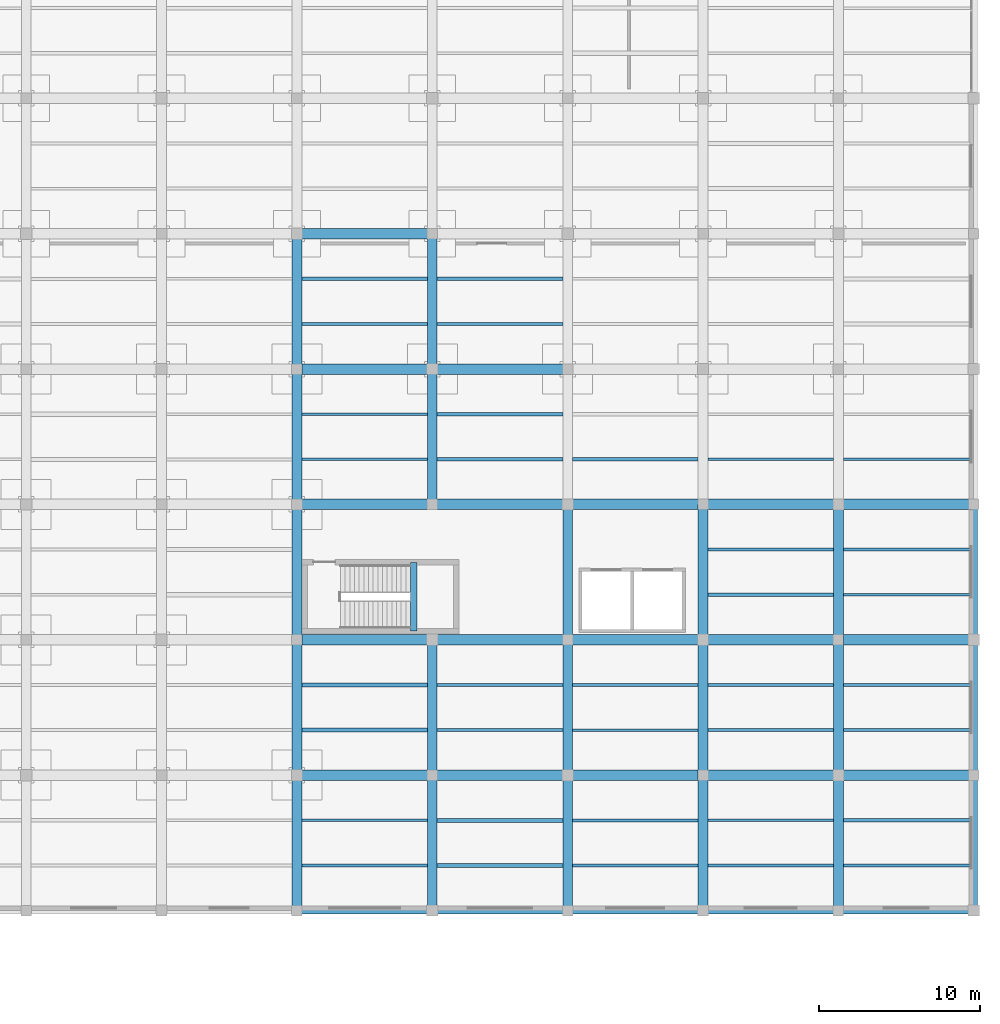
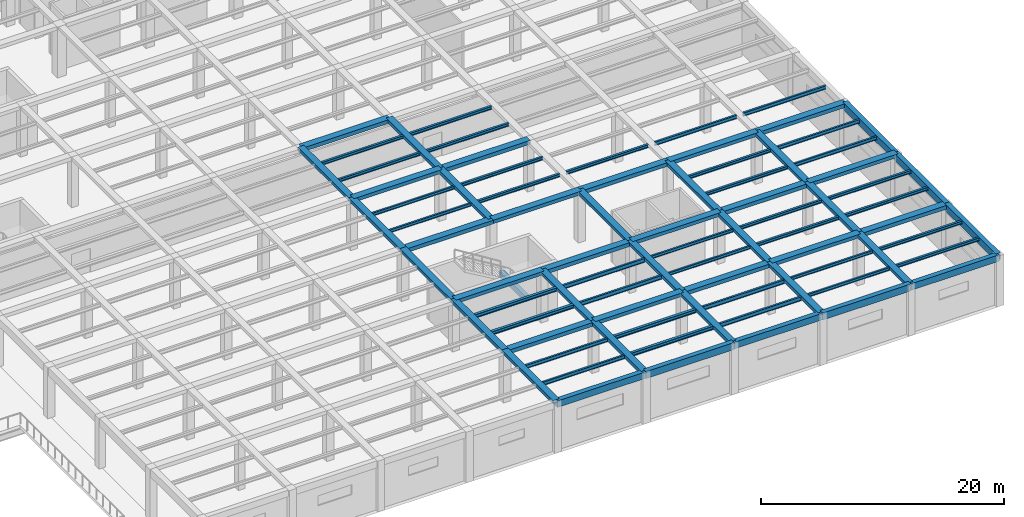
# One storey, part 52 of 96: 80 beams.
"""IFC4 building model written with IfcOpenShell, lengths in metres."""

from ifc_helpers import new_model, si_unit, direction, frame, origin, origin_2d, place, context, subcontext, project, spatial, rectangle, i_section, extrude, material, material_profile, profile_set, type_object, element, save


model = new_model("IFC4")

# Units and contexts
model_context = context("Model", 3, precision=1e-05, world=origin(), true_north=direction((0.0, 1.0)))
body_context = subcontext(model_context, "Body", "Model", "MODEL_VIEW")
ifc_project = project(units=[si_unit("LENGTHUNIT", "METRE"), si_unit("AREAUNIT", "SQUARE_METRE"), si_unit("VOLUMEUNIT", "CUBIC_METRE"), si_unit("PLANEANGLEUNIT", "RADIAN"), si_unit("MASSUNIT", "GRAM", prefix="KILO")], contexts=[model_context])

# Site, building, storey
site_placement = place(None, origin())
site = spatial("IfcSite", under=ifc_project, at=site_placement, CompositionType="ELEMENT")
building_placement = place(site_placement, origin())
building = spatial("IfcBuilding", under=site, at=building_placement, Name="Almacenes y Pasaje Nevantli", CompositionType="ELEMENT")
storey_placement = place(building_placement, frame((0.0, 0.0, 6.0)))
storey = spatial("IfcBuildingStorey", under=building, at=storey_placement, Name="L02", CompositionType="ELEMENT", Elevation=6.0)

# Beams
ifc_material_1 = material(Name="Concrete C35/45", Category="concrete")
ifc_material_profile_1 = material_profile(ifc_material_1, rectangle(XDim=0.39990234375, YDim=0.60009765625, at=origin_2d()), Name="RC-BM-400x600")
ifc_profile_set_1 = profile_set([ifc_material_profile_1], Name="Concrete C35/45")
beam_type_1 = type_object("IfcBeamType", Name="BM-RC-400x600", PredefinedType="SPANDREL", material=ifc_profile_set_1)
beam_1_placement = place(storey_placement, frame((133.25, 17.35009765625, 2.199951171875), z_axis=(0.0, 1.0, 0.0), x_axis=(-1.0, 0.0, 0.0)))
element("IfcBeam", 1, at=beam_1_placement, inside=storey, type_object=beam_type_1, Name="L02 Stair ST-06 Half-Landing Support Beam", PredefinedType="SPANDREL", context=body_context, shape_type="SweptSolid", body=[
    extrude(rectangle(XDim=0.39990234375, YDim=0.60009765625, at=origin_2d()), origin(), (0.0, 0.0, 1.0), 4.25),
])
ifc_material_2 = material(Name="Concrete C35/45", Category="concrete")
ifc_material_profile_2 = material_profile(ifc_material_2, rectangle(XDim=0.449951171875, YDim=0.64990234375, at=origin_2d()), Name="RC-BM-450x650")
ifc_profile_set_2 = profile_set([ifc_material_profile_2], Name="Concrete C35/45")
beam_type_2 = type_object("IfcBeamType", Name="BM-RC-450x650", PredefinedType="SPANDREL", material=ifc_profile_set_2)
for number, where, z_axis, x_axis, name in (
    (2, (126.0, 0.0, 4.77490234375), (1.0, 0.0, 0.0), (0.0, 1.0, 0.0), "L02 East-West Reinforced Concrete Beam #1735"),
    (3, (142.800048828125, 0.0, 4.77490234375), (1.0, 0.0, 0.0), (0.0, 1.0, 0.0), "L02 East-West Reinforced Concrete Beam #1737"),
    (4, (159.60009765625, 0.0, 4.77490234375), (1.0, 0.0, 0.0), (0.0, 1.0, 0.0), "L02 East-West Reinforced Concrete Beam #1739"),
):
    element("IfcBeam", number, at=place(storey_placement, frame(where, z_axis=z_axis, x_axis=x_axis)), inside=storey, type_object=beam_type_2, Name=name, PredefinedType="SPANDREL", context=body_context, shape_type="SweptSolid", body=[
        extrude(rectangle(XDim=0.449951171875, YDim=0.64990234375, at=origin_2d()), origin(), (0.0, 0.0, 1.0), 8.39990234375),
    ])
ifc_material_3 = material(Name="Concrete C35/45", Category="concrete")
ifc_material_profile_3 = material_profile(ifc_material_3, rectangle(XDim=0.449951171875, YDim=0.699951171875, at=origin_2d()), Name="RC-BM-450x700")
ifc_profile_set_3 = profile_set([ifc_material_profile_3], Name="Concrete C35/45")
beam_type_3 = type_object("IfcBeamType", Name="BM-RC-450x700", PredefinedType="SPANDREL", material=ifc_profile_set_3)
for number, where, z_axis, x_axis, name in (
    (5, (134.39990234375, 0.0, 4.75), (1.0, 0.0, 0.0), (0.0, 1.0, 0.0), "L02 East-West Reinforced Concrete Beam #1736"),
    (6, (151.199951171875, 0.0, 4.75), (1.0, 0.0, 0.0), (0.0, 1.0, 0.0), "L02 East-West Reinforced Concrete Beam #1738"),
):
    element("IfcBeam", number, at=place(storey_placement, frame(where, z_axis=z_axis, x_axis=x_axis)), inside=storey, type_object=beam_type_3, Name=name, PredefinedType="SPANDREL", context=body_context, shape_type="SweptSolid", body=[
        extrude(rectangle(XDim=0.449951171875, YDim=0.699951171875, at=origin_2d()), origin(), (0.0, 0.0, 1.0), 8.400146484375),
    ])
beam_2_placement = place(storey_placement, frame((168.0, 0.0, 4.75), z_axis=(0.0, 1.0, 0.0), x_axis=(-1.0, 0.0, 0.0)))
element("IfcBeam", 7, at=beam_2_placement, inside=storey, type_object=beam_type_3, Name="L02 North-South Reinforced Concrete Beam #2189", PredefinedType="SPANDREL", context=body_context, shape_type="SweptSolid", body=[
    extrude(rectangle(XDim=0.449951171875, YDim=0.699951171875, at=origin_2d()), origin(), (0.0, 0.0, 1.0), 8.39990234375),
])
beam_3_placement = place(storey_placement, frame((168.0, 8.39990234375, 4.75), z_axis=(0.0, 1.0, 0.0), x_axis=(-1.0, 0.0, 0.0)))
element("IfcBeam", 8, at=beam_3_placement, inside=storey, type_object=beam_type_3, Name="L02 North-South Reinforced Concrete Beam #2190", PredefinedType="SPANDREL", context=body_context, shape_type="SweptSolid", body=[
    extrude(rectangle(XDim=0.449951171875, YDim=0.699951171875, at=origin_2d()), origin(), (0.0, 0.0, 1.0), 8.400146484375),
])
beam_4_placement = place(storey_placement, frame((168.0, 16.800048828125, 4.75), z_axis=(0.0, 1.0, 0.0), x_axis=(-1.0, 0.0, 0.0)))
element("IfcBeam", 9, at=beam_4_placement, inside=storey, type_object=beam_type_3, Name="L02 North-South Reinforced Concrete Beam #2191", PredefinedType="SPANDREL", context=body_context, shape_type="SweptSolid", body=[
    extrude(rectangle(XDim=0.449951171875, YDim=0.699951171875, at=origin_2d()), origin(), (0.0, 0.0, 1.0), 8.39990234375),
])
ifc_material_4 = material(Name="Concrete C35/45", Category="concrete")
ifc_material_profile_4 = material_profile(ifc_material_4, rectangle(XDim=0.60009765625, YDim=0.320068359375, at=origin_2d()), Name="RC-BM-600x320")
ifc_profile_set_4 = profile_set([ifc_material_profile_4], Name="Concrete C35/45")
beam_type_4 = type_object("IfcBeamType", Name="BM-RC-600x320", PredefinedType="BEAM", material=ifc_profile_set_4)
for number, where, z_axis, x_axis, name in (
    (10, (126.0, 0.0, 4.93994140625), (0.0, 1.0, 0.0), (-1.0, 0.0, 0.0), "L02 North-South Reinforced Concrete Beam #2123"),
    (11, (126.0, 16.800048828125, 4.93994140625), (0.0, 1.0, 0.0), (-1.0, 0.0, 0.0), "L02 North-South Reinforced Concrete Beam #2125"),
    (12, (126.0, 33.60009765625, 4.93994140625), (0.0, 1.0, 0.0), (-1.0, 0.0, 0.0), "L02 North-South Reinforced Concrete Beam #2127"),
):
    element("IfcBeam", number, at=place(storey_placement, frame(where, z_axis=z_axis, x_axis=x_axis)), inside=storey, type_object=beam_type_4, Name=name, PredefinedType="BEAM", context=body_context, shape_type="SweptSolid", body=[
        extrude(rectangle(XDim=0.60009765625, YDim=0.320068359375, at=origin_2d()), origin(), (0.0, 0.0, 1.0), 8.39990234375),
    ])
for number, where, z_axis, x_axis, name in (
    (13, (134.39990234375, 8.39990234375, 4.93994140625), (0.0, 1.0, 0.0), (-1.0, 0.0, 0.0), "L02 North-South Reinforced Concrete Beam #2137"),
    (14, (134.39990234375, 25.199951171875, 4.93994140625), (0.0, 1.0, 0.0), (-1.0, 0.0, 0.0), "L02 North-South Reinforced Concrete Beam #2138"),
):
    element("IfcBeam", number, at=place(storey_placement, frame(where, z_axis=z_axis, x_axis=x_axis)), inside=storey, type_object=beam_type_4, Name=name, PredefinedType="BEAM", context=body_context, shape_type="SweptSolid", body=[
        extrude(rectangle(XDim=0.60009765625, YDim=0.320068359375, at=origin_2d()), origin(), (0.0, 0.0, 1.0), 8.400146484375),
    ])
for number, where, z_axis, x_axis, name in (
    (15, (142.800048828125, 0.0, 4.93994140625), (0.0, 1.0, 0.0), (-1.0, 0.0, 0.0), "L02 North-South Reinforced Concrete Beam #2148"),
    (16, (142.800048828125, 16.800048828125, 4.93994140625), (0.0, 1.0, 0.0), (-1.0, 0.0, 0.0), "L02 North-South Reinforced Concrete Beam #2150"),
):
    element("IfcBeam", number, at=place(storey_placement, frame(where, z_axis=z_axis, x_axis=x_axis)), inside=storey, type_object=beam_type_4, Name=name, PredefinedType="BEAM", context=body_context, shape_type="SweptSolid", body=[
        extrude(rectangle(XDim=0.60009765625, YDim=0.320068359375, at=origin_2d()), origin(), (0.0, 0.0, 1.0), 8.39990234375),
    ])
beam_5_placement = place(storey_placement, frame((151.199951171875, 8.39990234375, 4.93994140625), z_axis=(0.0, 1.0, 0.0), x_axis=(-1.0, 0.0, 0.0)))
element("IfcBeam", 17, at=beam_5_placement, inside=storey, type_object=beam_type_4, Name="L02 North-South Reinforced Concrete Beam #2163", PredefinedType="BEAM", context=body_context, shape_type="SweptSolid", body=[
    extrude(rectangle(XDim=0.60009765625, YDim=0.320068359375, at=origin_2d()), origin(), (0.0, 0.0, 1.0), 8.400146484375),
])
for number, where, z_axis, x_axis, name in (
    (18, (159.60009765625, 0.0, 4.93994140625), (0.0, 1.0, 0.0), (-1.0, 0.0, 0.0), "L02 North-South Reinforced Concrete Beam #2175"),
    (19, (159.60009765625, 16.800048828125, 4.93994140625), (0.0, 1.0, 0.0), (-1.0, 0.0, 0.0), "L02 North-South Reinforced Concrete Beam #2177"),
):
    element("IfcBeam", number, at=place(storey_placement, frame(where, z_axis=z_axis, x_axis=x_axis)), inside=storey, type_object=beam_type_4, Name=name, PredefinedType="BEAM", context=body_context, shape_type="SweptSolid", body=[
        extrude(rectangle(XDim=0.60009765625, YDim=0.320068359375, at=origin_2d()), origin(), (0.0, 0.0, 1.0), 8.39990234375),
    ])
ifc_material_5 = material(Name="Concrete C35/45", Category="concrete")
ifc_material_profile_5 = material_profile(ifc_material_5, rectangle(XDim=0.60009765625, YDim=0.340087890625, at=origin_2d()), Name="RC-BM-600x340")
ifc_profile_set_5 = profile_set([ifc_material_profile_5], Name="Concrete C35/45")
beam_type_5 = type_object("IfcBeamType", Name="BM-RC-600x340", PredefinedType="BEAM", material=ifc_profile_set_5)
for number, where, z_axis, x_axis, name in (
    (20, (126.0, 8.39990234375, 4.929931640625), (0.0, 1.0, 0.0), (-1.0, 0.0, 0.0), "L02 North-South Reinforced Concrete Beam #2124"),
    (21, (126.0, 25.199951171875, 4.929931640625), (0.0, 1.0, 0.0), (-1.0, 0.0, 0.0), "L02 North-South Reinforced Concrete Beam #2126"),
):
    element("IfcBeam", number, at=place(storey_placement, frame(where, z_axis=z_axis, x_axis=x_axis)), inside=storey, type_object=beam_type_5, Name=name, PredefinedType="BEAM", context=body_context, shape_type="SweptSolid", body=[
        extrude(rectangle(XDim=0.60009765625, YDim=0.340087890625, at=origin_2d()), origin(), (0.0, 0.0, 1.0), 8.400146484375),
    ])
for number, where, z_axis, x_axis, name in (
    (22, (134.39990234375, 0.0, 4.929931640625), (0.0, 1.0, 0.0), (-1.0, 0.0, 0.0), "L02 North-South Reinforced Concrete Beam #2136"),
    (23, (134.39990234375, 33.60009765625, 4.929931640625), (0.0, 1.0, 0.0), (-1.0, 0.0, 0.0), "L02 North-South Reinforced Concrete Beam #2139"),
):
    element("IfcBeam", number, at=place(storey_placement, frame(where, z_axis=z_axis, x_axis=x_axis)), inside=storey, type_object=beam_type_5, Name=name, PredefinedType="BEAM", context=body_context, shape_type="SweptSolid", body=[
        extrude(rectangle(XDim=0.60009765625, YDim=0.340087890625, at=origin_2d()), origin(), (0.0, 0.0, 1.0), 8.39990234375),
    ])
beam_6_placement = place(storey_placement, frame((142.800048828125, 8.39990234375, 4.929931640625), z_axis=(0.0, 1.0, 0.0), x_axis=(-1.0, 0.0, 0.0)))
element("IfcBeam", 24, at=beam_6_placement, inside=storey, type_object=beam_type_5, Name="L02 North-South Reinforced Concrete Beam #2149", PredefinedType="BEAM", context=body_context, shape_type="SweptSolid", body=[
    extrude(rectangle(XDim=0.60009765625, YDim=0.340087890625, at=origin_2d()), origin(), (0.0, 0.0, 1.0), 8.400146484375),
])
for number, where, z_axis, x_axis, name in (
    (25, (151.199951171875, 0.0, 4.929931640625), (0.0, 1.0, 0.0), (-1.0, 0.0, 0.0), "L02 North-South Reinforced Concrete Beam #2162"),
    (26, (151.199951171875, 16.800048828125, 4.929931640625), (0.0, 1.0, 0.0), (-1.0, 0.0, 0.0), "L02 North-South Reinforced Concrete Beam #2164"),
):
    element("IfcBeam", number, at=place(storey_placement, frame(where, z_axis=z_axis, x_axis=x_axis)), inside=storey, type_object=beam_type_5, Name=name, PredefinedType="BEAM", context=body_context, shape_type="SweptSolid", body=[
        extrude(rectangle(XDim=0.60009765625, YDim=0.340087890625, at=origin_2d()), origin(), (0.0, 0.0, 1.0), 8.39990234375),
    ])
beam_7_placement = place(storey_placement, frame((159.60009765625, 8.39990234375, 4.929931640625), z_axis=(0.0, 1.0, 0.0), x_axis=(-1.0, 0.0, 0.0)))
element("IfcBeam", 27, at=beam_7_placement, inside=storey, type_object=beam_type_5, Name="L02 North-South Reinforced Concrete Beam #2176", PredefinedType="BEAM", context=body_context, shape_type="SweptSolid", body=[
    extrude(rectangle(XDim=0.60009765625, YDim=0.340087890625, at=origin_2d()), origin(), (0.0, 0.0, 1.0), 8.400146484375),
])
ifc_material_6 = material(Name="Concrete C35/45", Category="concrete")
ifc_material_profile_6 = material_profile(ifc_material_6, rectangle(XDim=0.64990234375, YDim=0.35009765625, at=origin_2d()), Name="RC-BM-650x350")
ifc_profile_set_6 = profile_set([ifc_material_profile_6], Name="Concrete C35/45")
beam_type_6 = type_object("IfcBeamType", Name="BM-RC-650x350", PredefinedType="BEAM", material=ifc_profile_set_6)
for number, where, z_axis, x_axis, name in (
    (28, (134.39990234375, 8.39990234375, 4.925048828125), (1.0, 0.0, 0.0), (0.0, 1.0, 0.0), "L02 East-West Reinforced Concrete Beam #1750"),
    (29, (151.199951171875, 8.39990234375, 4.925048828125), (1.0, 0.0, 0.0), (0.0, 1.0, 0.0), "L02 East-West Reinforced Concrete Beam #1752"),
):
    element("IfcBeam", number, at=place(storey_placement, frame(where, z_axis=z_axis, x_axis=x_axis)), inside=storey, type_object=beam_type_6, Name=name, PredefinedType="BEAM", context=body_context, shape_type="SweptSolid", body=[
        extrude(rectangle(XDim=0.64990234375, YDim=0.35009765625, at=origin_2d()), origin(), (0.0, 0.0, 1.0), 8.400146484375),
    ])
for number, where, z_axis, x_axis, name in (
    (30, (126.0, 16.800048828125, 4.925048828125), (1.0, 0.0, 0.0), (0.0, 1.0, 0.0), "L02 East-West Reinforced Concrete Beam #1763"),
    (31, (142.800048828125, 16.800048828125, 4.925048828125), (1.0, 0.0, 0.0), (0.0, 1.0, 0.0), "L02 East-West Reinforced Concrete Beam #1765"),
    (32, (159.60009765625, 16.800048828125, 4.925048828125), (1.0, 0.0, 0.0), (0.0, 1.0, 0.0), "L02 East-West Reinforced Concrete Beam #1767"),
):
    element("IfcBeam", number, at=place(storey_placement, frame(where, z_axis=z_axis, x_axis=x_axis)), inside=storey, type_object=beam_type_6, Name=name, PredefinedType="BEAM", context=body_context, shape_type="SweptSolid", body=[
        extrude(rectangle(XDim=0.64990234375, YDim=0.35009765625, at=origin_2d()), origin(), (0.0, 0.0, 1.0), 8.39990234375),
    ])
for number, where, z_axis, x_axis, name in (
    (33, (134.39990234375, 25.199951171875, 4.925048828125), (1.0, 0.0, 0.0), (0.0, 1.0, 0.0), "L02 East-West Reinforced Concrete Beam #1781"),
    (34, (151.199951171875, 25.199951171875, 4.925048828125), (1.0, 0.0, 0.0), (0.0, 1.0, 0.0), "L02 East-West Reinforced Concrete Beam #1783"),
):
    element("IfcBeam", number, at=place(storey_placement, frame(where, z_axis=z_axis, x_axis=x_axis)), inside=storey, type_object=beam_type_6, Name=name, PredefinedType="BEAM", context=body_context, shape_type="SweptSolid", body=[
        extrude(rectangle(XDim=0.64990234375, YDim=0.35009765625, at=origin_2d()), origin(), (0.0, 0.0, 1.0), 8.400146484375),
    ])
beam_8_placement = place(storey_placement, frame((126.0, 33.60009765625, 4.925048828125), z_axis=(1.0, 0.0, 0.0), x_axis=(0.0, 1.0, 0.0)))
element("IfcBeam", 35, at=beam_8_placement, inside=storey, type_object=beam_type_6, Name="L02 East-West Reinforced Concrete Beam #1797", PredefinedType="BEAM", context=body_context, shape_type="SweptSolid", body=[
    extrude(rectangle(XDim=0.64990234375, YDim=0.35009765625, at=origin_2d()), origin(), (0.0, 0.0, 1.0), 8.39990234375),
])
ifc_material_7 = material(Name="Concrete C35/45", Category="concrete")
ifc_material_profile_7 = material_profile(ifc_material_7, rectangle(XDim=0.64990234375, YDim=0.3798828125, at=origin_2d()), Name="RC-BM-650x380")
ifc_profile_set_7 = profile_set([ifc_material_profile_7], Name="Concrete C35/45")
beam_type_7 = type_object("IfcBeamType", Name="BM-RC-650x380", PredefinedType="BEAM", material=ifc_profile_set_7)
for number, where, z_axis, x_axis, name in (
    (36, (126.0, 8.39990234375, 4.909912109375), (1.0, 0.0, 0.0), (0.0, 1.0, 0.0), "L02 East-West Reinforced Concrete Beam #1749"),
    (37, (142.800048828125, 8.39990234375, 4.909912109375), (1.0, 0.0, 0.0), (0.0, 1.0, 0.0), "L02 East-West Reinforced Concrete Beam #1751"),
    (38, (159.60009765625, 8.39990234375, 4.909912109375), (1.0, 0.0, 0.0), (0.0, 1.0, 0.0), "L02 East-West Reinforced Concrete Beam #1753"),
):
    element("IfcBeam", number, at=place(storey_placement, frame(where, z_axis=z_axis, x_axis=x_axis)), inside=storey, type_object=beam_type_7, Name=name, PredefinedType="BEAM", context=body_context, shape_type="SweptSolid", body=[
        extrude(rectangle(XDim=0.64990234375, YDim=0.3798828125, at=origin_2d()), origin(), (0.0, 0.0, 1.0), 8.39990234375),
    ])
for number, where, z_axis, x_axis, name in (
    (39, (134.39990234375, 16.800048828125, 4.909912109375), (1.0, 0.0, 0.0), (0.0, 1.0, 0.0), "L02 East-West Reinforced Concrete Beam #1764"),
    (40, (151.199951171875, 16.800048828125, 4.909912109375), (1.0, 0.0, 0.0), (0.0, 1.0, 0.0), "L02 East-West Reinforced Concrete Beam #1766"),
):
    element("IfcBeam", number, at=place(storey_placement, frame(where, z_axis=z_axis, x_axis=x_axis)), inside=storey, type_object=beam_type_7, Name=name, PredefinedType="BEAM", context=body_context, shape_type="SweptSolid", body=[
        extrude(rectangle(XDim=0.64990234375, YDim=0.3798828125, at=origin_2d()), origin(), (0.0, 0.0, 1.0), 8.400146484375),
    ])
for number, where, z_axis, x_axis, name in (
    (41, (126.0, 25.199951171875, 4.909912109375), (1.0, 0.0, 0.0), (0.0, 1.0, 0.0), "L02 East-West Reinforced Concrete Beam #1780"),
    (42, (142.800048828125, 25.199951171875, 4.909912109375), (1.0, 0.0, 0.0), (0.0, 1.0, 0.0), "L02 East-West Reinforced Concrete Beam #1782"),
    (43, (159.60009765625, 25.199951171875, 4.909912109375), (1.0, 0.0, 0.0), (0.0, 1.0, 0.0), "L02 East-West Reinforced Concrete Beam #1784"),
):
    element("IfcBeam", number, at=place(storey_placement, frame(where, z_axis=z_axis, x_axis=x_axis)), inside=storey, type_object=beam_type_7, Name=name, PredefinedType="BEAM", context=body_context, shape_type="SweptSolid", body=[
        extrude(rectangle(XDim=0.64990234375, YDim=0.3798828125, at=origin_2d()), origin(), (0.0, 0.0, 1.0), 8.39990234375),
    ])
beam_9_placement = place(storey_placement, frame((134.39990234375, 33.60009765625, 4.909912109375), z_axis=(1.0, 0.0, 0.0), x_axis=(0.0, 1.0, 0.0)))
element("IfcBeam", 44, at=beam_9_placement, inside=storey, type_object=beam_type_7, Name="L02 East-West Reinforced Concrete Beam #1798", PredefinedType="BEAM", context=body_context, shape_type="SweptSolid", body=[
    extrude(rectangle(XDim=0.64990234375, YDim=0.3798828125, at=origin_2d()), origin(), (0.0, 0.0, 1.0), 8.400146484375),
])
beam_10_placement = place(storey_placement, frame((126.0, 42.0, 4.909912109375), z_axis=(1.0, 0.0, 0.0), x_axis=(0.0, 1.0, 0.0)))
element("IfcBeam", 45, at=beam_10_placement, inside=storey, type_object=beam_type_7, Name="L02 East-West Reinforced Concrete Beam #1814", PredefinedType="BEAM", context=body_context, shape_type="SweptSolid", body=[
    extrude(rectangle(XDim=0.64990234375, YDim=0.3798828125, at=origin_2d()), origin(), (0.0, 0.0, 1.0), 8.39990234375),
])
ifc_material_8 = material(Name="Steel ASTM A992", Category="steel")
ifc_material_profile_8 = material_profile(ifc_material_8, i_section(OverallWidth=0.1650390625, OverallDepth=0.306884765625, WebThickness=0.006591796875, FlangeThickness=0.01025390625, at=origin_2d()), Name="IR 305x44.6")
ifc_profile_set_8 = profile_set([ifc_material_profile_8], Name="Steel ASTM A992")
beam_type_8 = type_object("IfcBeamType", Name="BM-STL-IR-305x44p6", PredefinedType="JOIST", material=ifc_profile_set_8)
for number, where, z_axis, x_axis, name in (
    (46, (126.300048828125, 28.0, 4.9384765625), (1.0, 0.0, 0.0), (0.0, 1.0, 0.0), "L02 Secondary Steel Floor Joist #561"),
    (47, (126.300048828125, 30.800048828125, 4.9384765625), (1.0, 0.0, 0.0), (0.0, 1.0, 0.0), "L02 Secondary Steel Floor Joist #562"),
):
    element("IfcBeam", number, at=place(storey_placement, frame(where, z_axis=z_axis, x_axis=x_axis)), inside=storey, type_object=beam_type_8, Name=name, PredefinedType="JOIST", context=body_context, shape_type="SweptSolid", body=[
        extrude(i_section(OverallWidth=0.1650390625, OverallDepth=0.306884765625, WebThickness=0.006591796875, FlangeThickness=0.01025390625, at=origin_2d()), origin(), (0.0, 0.0, 1.0), 7.800048828125),
    ])
for number, where, z_axis, x_axis, name in (
    (48, (143.10009765625, 11.199951171875, 4.9384765625), (1.0, 0.0, 0.0), (0.0, 1.0, 0.0), "L02 Secondary Steel Floor Joist #601"),
    (49, (143.10009765625, 14.0, 4.9384765625), (1.0, 0.0, 0.0), (0.0, 1.0, 0.0), "L02 Secondary Steel Floor Joist #602"),
):
    element("IfcBeam", number, at=place(storey_placement, frame(where, z_axis=z_axis, x_axis=x_axis)), inside=storey, type_object=beam_type_8, Name=name, PredefinedType="JOIST", context=body_context, shape_type="SweptSolid", body=[
        extrude(i_section(OverallWidth=0.1650390625, OverallDepth=0.306884765625, WebThickness=0.006591796875, FlangeThickness=0.01025390625, at=origin_2d()), origin(), (0.0, 0.0, 1.0), 7.7998046875),
    ])
for number, where, z_axis, x_axis, name in (
    (50, (151.5, 2.800048828125, 4.9384765625), (1.0, 0.0, 0.0), (0.0, 1.0, 0.0), "L02 Secondary Steel Floor Joist #623"),
    (51, (151.5, 5.60009765625, 4.9384765625), (1.0, 0.0, 0.0), (0.0, 1.0, 0.0), "L02 Secondary Steel Floor Joist #624"),
):
    element("IfcBeam", number, at=place(storey_placement, frame(where, z_axis=z_axis, x_axis=x_axis)), inside=storey, type_object=beam_type_8, Name=name, PredefinedType="JOIST", context=body_context, shape_type="SweptSolid", body=[
        extrude(i_section(OverallWidth=0.1650390625, OverallDepth=0.306884765625, WebThickness=0.006591796875, FlangeThickness=0.01025390625, at=origin_2d()), origin(), (0.0, 0.0, 1.0), 7.800048828125),
    ])
ifc_material_9 = material(Name="Steel ASTM A992", Category="steel")
ifc_material_profile_9 = material_profile(ifc_material_9, i_section(OverallWidth=0.202880859375, OverallDepth=0.304931640625, WebThickness=0.007568359375, FlangeThickness=0.01318359375, at=origin_2d()), Name="IR 305x59.5")
ifc_profile_set_9 = profile_set([ifc_material_profile_9], Name="Steel ASTM A992")
beam_type_9 = type_object("IfcBeamType", Name="BM-STL-IR-305x59p5", PredefinedType="JOIST", material=ifc_profile_set_9)
for number, where, z_axis, x_axis, name in (
    (52, (126.300048828125, 36.39990234375, 4.939453125), (1.0, 0.0, 0.0), (0.0, 1.0, 0.0), "L02 Secondary Steel Floor Joist #563"),
    (53, (126.300048828125, 39.199951171875, 4.939453125), (1.0, 0.0, 0.0), (0.0, 1.0, 0.0), "L02 Secondary Steel Floor Joist #564"),
    (54, (134.699951171875, 28.0, 4.939453125), (1.0, 0.0, 0.0), (0.0, 1.0, 0.0), "L02 Secondary Steel Floor Joist #581"),
    (55, (134.699951171875, 30.800048828125, 4.939453125), (1.0, 0.0, 0.0), (0.0, 1.0, 0.0), "L02 Secondary Steel Floor Joist #582"),
    (56, (151.5, 11.199951171875, 4.939453125), (1.0, 0.0, 0.0), (0.0, 1.0, 0.0), "L02 Secondary Steel Floor Joist #625"),
    (57, (151.5, 14.0, 4.939453125), (1.0, 0.0, 0.0), (0.0, 1.0, 0.0), "L02 Secondary Steel Floor Joist #626"),
):
    element("IfcBeam", number, at=place(storey_placement, frame(where, z_axis=z_axis, x_axis=x_axis)), inside=storey, type_object=beam_type_9, Name=name, PredefinedType="JOIST", context=body_context, shape_type="SweptSolid", body=[
        extrude(i_section(OverallWidth=0.202880859375, OverallDepth=0.304931640625, WebThickness=0.007568359375, FlangeThickness=0.01318359375, at=origin_2d()), origin(), (0.0, 0.0, 1.0), 7.800048828125),
    ])
for number, where, z_axis, x_axis, name in (
    (58, (159.89990234375, 2.800048828125, 4.939453125), (1.0, 0.0, 0.0), (0.0, 1.0, 0.0), "L02 Secondary Steel Floor Joist #649"),
    (59, (159.89990234375, 5.60009765625, 4.939453125), (1.0, 0.0, 0.0), (0.0, 1.0, 0.0), "L02 Secondary Steel Floor Joist #650"),
):
    element("IfcBeam", number, at=place(storey_placement, frame(where, z_axis=z_axis, x_axis=x_axis)), inside=storey, type_object=beam_type_9, Name=name, PredefinedType="JOIST", context=body_context, shape_type="SweptSolid", body=[
        extrude(i_section(OverallWidth=0.202880859375, OverallDepth=0.304931640625, WebThickness=0.007568359375, FlangeThickness=0.01318359375, at=origin_2d()), origin(), (0.0, 0.0, 1.0), 7.875),
    ])
ifc_material_10 = material(Name="Steel ASTM A992", Category="steel")
ifc_material_profile_10 = material_profile(ifc_material_10, i_section(OverallWidth=0.205078125, OverallDepth=0.31005859375, WebThickness=0.009521484375, FlangeThickness=0.016357421875, at=origin_2d()), Name="IR 305x74.4")
ifc_profile_set_10 = profile_set([ifc_material_profile_10], Name="Steel ASTM A992")
beam_type_10 = type_object("IfcBeamType", Name="BM-STL-IR-305x74p4", PredefinedType="JOIST", material=ifc_profile_set_10)
for number, where, z_axis, x_axis, name in (
    (60, (134.699951171875, 36.39990234375, 4.93701171875), (1.0, 0.0, 0.0), (0.0, 1.0, 0.0), "L02 Secondary Steel Floor Joist #583"),
    (61, (134.699951171875, 39.199951171875, 4.93701171875), (1.0, 0.0, 0.0), (0.0, 1.0, 0.0), "L02 Secondary Steel Floor Joist #584"),
):
    element("IfcBeam", number, at=place(storey_placement, frame(where, z_axis=z_axis, x_axis=x_axis)), inside=storey, type_object=beam_type_10, Name=name, PredefinedType="JOIST", context=body_context, shape_type="SweptSolid", body=[
        extrude(i_section(OverallWidth=0.205078125, OverallDepth=0.31005859375, WebThickness=0.009521484375, FlangeThickness=0.016357421875, at=origin_2d()), origin(), (0.0, 0.0, 1.0), 7.800048828125),
    ])
beam_11_placement = place(storey_placement, frame((143.10009765625, 28.0, 4.93701171875), z_axis=(1.0, 0.0, 0.0), x_axis=(0.0, 1.0, 0.0)))
element("IfcBeam", 62, at=beam_11_placement, inside=storey, type_object=beam_type_10, Name="L02 Secondary Steel Floor Joist #603", PredefinedType="JOIST", context=body_context, shape_type="SweptSolid", body=[
    extrude(i_section(OverallWidth=0.205078125, OverallDepth=0.31005859375, WebThickness=0.009521484375, FlangeThickness=0.016357421875, at=origin_2d()), origin(), (0.0, 0.0, 1.0), 7.7998046875),
])
for number, where, z_axis, x_axis, name in (
    (63, (151.5, 19.60009765625, 4.93701171875), (1.0, 0.0, 0.0), (0.0, 1.0, 0.0), "L02 Secondary Steel Floor Joist #627"),
    (64, (151.5, 22.39990234375, 4.93701171875), (1.0, 0.0, 0.0), (0.0, 1.0, 0.0), "L02 Secondary Steel Floor Joist #628"),
):
    element("IfcBeam", number, at=place(storey_placement, frame(where, z_axis=z_axis, x_axis=x_axis)), inside=storey, type_object=beam_type_10, Name=name, PredefinedType="JOIST", context=body_context, shape_type="SweptSolid", body=[
        extrude(i_section(OverallWidth=0.205078125, OverallDepth=0.31005859375, WebThickness=0.009521484375, FlangeThickness=0.016357421875, at=origin_2d()), origin(), (0.0, 0.0, 1.0), 7.800048828125),
    ])
for number, where, z_axis, x_axis, name in (
    (65, (159.89990234375, 11.199951171875, 4.93701171875), (1.0, 0.0, 0.0), (0.0, 1.0, 0.0), "L02 Secondary Steel Floor Joist #651"),
    (66, (159.89990234375, 14.0, 4.93701171875), (1.0, 0.0, 0.0), (0.0, 1.0, 0.0), "L02 Secondary Steel Floor Joist #652"),
):
    element("IfcBeam", number, at=place(storey_placement, frame(where, z_axis=z_axis, x_axis=x_axis)), inside=storey, type_object=beam_type_10, Name=name, PredefinedType="JOIST", context=body_context, shape_type="SweptSolid", body=[
        extrude(i_section(OverallWidth=0.205078125, OverallDepth=0.31005859375, WebThickness=0.009521484375, FlangeThickness=0.016357421875, at=origin_2d()), origin(), (0.0, 0.0, 1.0), 7.875),
    ])
ifc_material_11 = material(Name="Steel ASTM A992", Category="steel")
ifc_material_profile_11 = material_profile(ifc_material_11, i_section(OverallWidth=0.173095703125, OverallDepth=0.35302734375, WebThickness=0.0078125, FlangeThickness=0.01318359375, at=origin_2d()), Name="IR 356x56.6")
ifc_profile_set_11 = profile_set([ifc_material_profile_11], Name="Steel ASTM A992")
beam_type_11 = type_object("IfcBeamType", Name="BM-STL-IR-356x56p6", PredefinedType="JOIST", material=ifc_profile_set_11)
beam_12_placement = place(storey_placement, frame((151.5, 28.0, 4.91552734375), z_axis=(1.0, 0.0, 0.0), x_axis=(0.0, 1.0, 0.0)))
element("IfcBeam", 67, at=beam_12_placement, inside=storey, type_object=beam_type_11, Name="L02 Secondary Steel Floor Joist #629", PredefinedType="JOIST", context=body_context, shape_type="SweptSolid", body=[
    extrude(i_section(OverallWidth=0.173095703125, OverallDepth=0.35302734375, WebThickness=0.0078125, FlangeThickness=0.01318359375, at=origin_2d()), origin(), (0.0, 0.0, 1.0), 7.800048828125),
])
for number, where, z_axis, x_axis, name in (
    (68, (159.89990234375, 19.60009765625, 4.91552734375), (1.0, 0.0, 0.0), (0.0, 1.0, 0.0), "L02 Secondary Steel Floor Joist #653"),
    (69, (159.89990234375, 22.39990234375, 4.91552734375), (1.0, 0.0, 0.0), (0.0, 1.0, 0.0), "L02 Secondary Steel Floor Joist #654"),
):
    element("IfcBeam", number, at=place(storey_placement, frame(where, z_axis=z_axis, x_axis=x_axis)), inside=storey, type_object=beam_type_11, Name=name, PredefinedType="JOIST", context=body_context, shape_type="SweptSolid", body=[
        extrude(i_section(OverallWidth=0.173095703125, OverallDepth=0.35302734375, WebThickness=0.0078125, FlangeThickness=0.01318359375, at=origin_2d()), origin(), (0.0, 0.0, 1.0), 7.875),
    ])
ifc_material_12 = material(Name="Steel ASTM A992", Category="steel")
ifc_material_profile_12 = material_profile(ifc_material_12, i_section(OverallWidth=0.173095703125, OverallDepth=0.364013671875, WebThickness=0.009033203125, FlangeThickness=0.015625, at=origin_2d()), Name="IR 356x67.0")
ifc_profile_set_12 = profile_set([ifc_material_profile_12], Name="Steel ASTM A992")
beam_type_12 = type_object("IfcBeamType", Name="BM-STL-IR-356x67p0", PredefinedType="JOIST", material=ifc_profile_set_12)
for number, where, z_axis, x_axis, name in (
    (70, (126.300048828125, 2.800048828125, 4.909912109375), (1.0, 0.0, 0.0), (0.0, 1.0, 0.0), "L02 Secondary Steel Floor Joist #557"),
    (71, (126.300048828125, 5.60009765625, 4.909912109375), (1.0, 0.0, 0.0), (0.0, 1.0, 0.0), "L02 Secondary Steel Floor Joist #558"),
):
    element("IfcBeam", number, at=place(storey_placement, frame(where, z_axis=z_axis, x_axis=x_axis)), inside=storey, type_object=beam_type_12, Name=name, PredefinedType="JOIST", context=body_context, shape_type="SweptSolid", body=[
        extrude(i_section(OverallWidth=0.173095703125, OverallDepth=0.364013671875, WebThickness=0.009033203125, FlangeThickness=0.015625, at=origin_2d()), origin(), (0.0, 0.0, 1.0), 7.800048828125),
    ])
beam_13_placement = place(storey_placement, frame((159.89990234375, 28.0, 4.909912109375), z_axis=(1.0, 0.0, 0.0), x_axis=(0.0, 1.0, 0.0)))
element("IfcBeam", 72, at=beam_13_placement, inside=storey, type_object=beam_type_12, Name="L02 Secondary Steel Floor Joist #655", PredefinedType="JOIST", context=body_context, shape_type="SweptSolid", body=[
    extrude(i_section(OverallWidth=0.173095703125, OverallDepth=0.364013671875, WebThickness=0.009033203125, FlangeThickness=0.015625, at=origin_2d()), origin(), (0.0, 0.0, 1.0), 7.875),
])
ifc_material_13 = material(Name="Steel ASTM A992", Category="steel")
ifc_material_profile_13 = material_profile(ifc_material_13, i_section(OverallWidth=0.25390625, OverallDepth=0.35595703125, WebThickness=0.009521484375, FlangeThickness=0.016357421875, at=origin_2d()), Name="IR 356x79.0")
ifc_profile_set_13 = profile_set([ifc_material_profile_13], Name="Steel ASTM A992")
beam_type_13 = type_object("IfcBeamType", Name="BM-STL-IR-356x79p0", PredefinedType="JOIST", material=ifc_profile_set_13)
for number, where, z_axis, x_axis, name in (
    (73, (126.300048828125, 11.199951171875, 4.9140625), (1.0, 0.0, 0.0), (0.0, 1.0, 0.0), "L02 Secondary Steel Floor Joist #559"),
    (74, (126.300048828125, 14.0, 4.9140625), (1.0, 0.0, 0.0), (0.0, 1.0, 0.0), "L02 Secondary Steel Floor Joist #560"),
    (75, (134.699951171875, 2.800048828125, 4.9140625), (1.0, 0.0, 0.0), (0.0, 1.0, 0.0), "L02 Secondary Steel Floor Joist #577"),
    (76, (134.699951171875, 5.60009765625, 4.9140625), (1.0, 0.0, 0.0), (0.0, 1.0, 0.0), "L02 Secondary Steel Floor Joist #578"),
):
    element("IfcBeam", number, at=place(storey_placement, frame(where, z_axis=z_axis, x_axis=x_axis)), inside=storey, type_object=beam_type_13, Name=name, PredefinedType="JOIST", context=body_context, shape_type="SweptSolid", body=[
        extrude(i_section(OverallWidth=0.25390625, OverallDepth=0.35595703125, WebThickness=0.009521484375, FlangeThickness=0.016357421875, at=origin_2d()), origin(), (0.0, 0.0, 1.0), 7.800048828125),
    ])
ifc_material_14 = material(Name="Steel ASTM A992", Category="steel")
ifc_material_profile_14 = material_profile(ifc_material_14, i_section(OverallWidth=0.178955078125, OverallDepth=0.406005859375, WebThickness=0.0087890625, FlangeThickness=0.014404296875, at=origin_2d()), Name="IR 406x67.0")
ifc_profile_set_14 = profile_set([ifc_material_profile_14], Name="Steel ASTM A992")
beam_type_14 = type_object("IfcBeamType", Name="BM-STL-IR-406x67p0", PredefinedType="JOIST", material=ifc_profile_set_14)
for number, where, z_axis, x_axis, name in (
    (77, (134.699951171875, 11.199951171875, 4.888916015625), (1.0, 0.0, 0.0), (0.0, 1.0, 0.0), "L02 Secondary Steel Floor Joist #579"),
    (78, (134.699951171875, 14.0, 4.888916015625), (1.0, 0.0, 0.0), (0.0, 1.0, 0.0), "L02 Secondary Steel Floor Joist #580"),
):
    element("IfcBeam", number, at=place(storey_placement, frame(where, z_axis=z_axis, x_axis=x_axis)), inside=storey, type_object=beam_type_14, Name=name, PredefinedType="JOIST", context=body_context, shape_type="SweptSolid", body=[
        extrude(i_section(OverallWidth=0.178955078125, OverallDepth=0.406005859375, WebThickness=0.0087890625, FlangeThickness=0.014404296875, at=origin_2d()), origin(), (0.0, 0.0, 1.0), 7.800048828125),
    ])
for number, where, z_axis, x_axis, name in (
    (79, (143.10009765625, 2.800048828125, 4.888916015625), (1.0, 0.0, 0.0), (0.0, 1.0, 0.0), "L02 Secondary Steel Floor Joist #599"),
    (80, (143.10009765625, 5.60009765625, 4.888916015625), (1.0, 0.0, 0.0), (0.0, 1.0, 0.0), "L02 Secondary Steel Floor Joist #600"),
):
    element("IfcBeam", number, at=place(storey_placement, frame(where, z_axis=z_axis, x_axis=x_axis)), inside=storey, type_object=beam_type_14, Name=name, PredefinedType="JOIST", context=body_context, shape_type="SweptSolid", body=[
        extrude(i_section(OverallWidth=0.178955078125, OverallDepth=0.406005859375, WebThickness=0.0087890625, FlangeThickness=0.014404296875, at=origin_2d()), origin(), (0.0, 0.0, 1.0), 7.7998046875),
    ])

save(model, "model.ifc")
